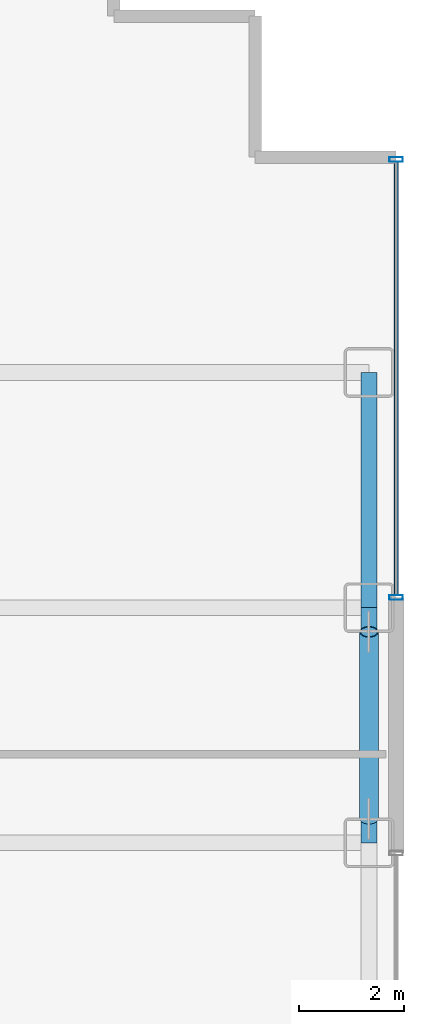
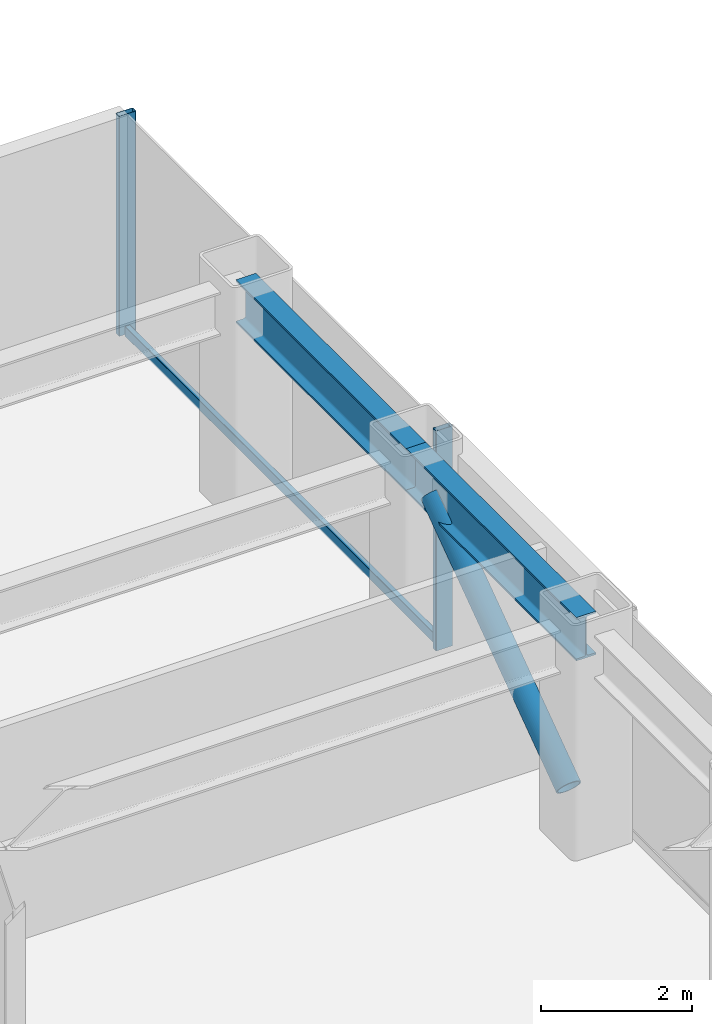
# One storey, part 19 of 29: 4 members, 2 beams, 1 element without a shape of its own.
"""IFC4 building model written with IfcOpenShell, lengths in metres."""

from ifc_helpers import new_model, si_unit, direction, frame, origin, origin_2d, place, context, subcontext, project, spatial, hollow_rectangle, hollow_circle, i_section, extrude, source, transform, mapped, material, layer, layer_set, material_profile, profile_set, type_object, element, aggregate, save


model = new_model("IFC4")

# Units and contexts
model_context = context("Model", 3, precision=1e-05, world=origin(), true_north=direction((0.0, 1.0)))
body_context = subcontext(model_context, "Body", "Model", "MODEL_VIEW")
ifc_project = project(units=[si_unit("LENGTHUNIT", "METRE"), si_unit("AREAUNIT", "SQUARE_METRE"), si_unit("VOLUMEUNIT", "CUBIC_METRE"), si_unit("PLANEANGLEUNIT", "RADIAN"), si_unit("MASSUNIT", "GRAM", prefix="KILO")], contexts=[model_context])

# Site, building, storey
site_placement = place(None, origin())
site = spatial("IfcSite", under=ifc_project, at=site_placement, CompositionType="ELEMENT")
building_placement = place(site_placement, origin())
building = spatial("IfcBuilding", under=site, at=building_placement, Name="Nefas-Gora Pilgrimage Tower", CompositionType="ELEMENT")
storey_placement = place(building_placement, frame((0.0, 0.0, 44.39990234375)))
storey = spatial("IfcBuildingStorey", under=building, at=storey_placement, Name="L09", CompositionType="ELEMENT", Elevation=44.39990234375)

# Beams
ifc_material_1 = material(Name="Steel S355", Category="steel")
ifc_material_profile_1 = material_profile(ifc_material_1, i_section(OverallWidth=0.300048828125, OverallDepth=0.699951171875, WebThickness=0.01708984375, FlangeThickness=0.031982421875, FilletRadius=0.027099609375, at=origin_2d()), Name="HEB 700")
ifc_profile_set_1 = profile_set([ifc_material_profile_1], Name="Steel S355")
beam_type = type_object("IfcBeamType", Name="BM-SPN-HEB600", PredefinedType="SPANDREL", material=ifc_profile_set_1)
shared_shape_1 = source(origin(), body_context, "Body", "SweptSolid", [
    extrude(i_section(OverallWidth=0.300048828125, OverallDepth=0.699951171875, WebThickness=0.01708984375, FlangeThickness=0.031982421875, FilletRadius=0.027099609375, at=origin_2d()), origin(), (0.0, 0.0, 1.0), 4.5),
])
for number, where, z_axis, x_axis, name in (
    (1, (33.75, 4.5, 3.2001953125), (0.0, 1.0, 0.0), (-1.0, 0.0, 0.0), "L09 SP-01 beam"),
    (2, (33.75, 9.0, 3.2001953125), (0.0, 1.0, 0.0), (-1.0, 0.0, 0.0), "L09 SP-01 beam"),
):
    element("IfcBeam", number, at=place(storey_placement, frame(where, z_axis=z_axis, x_axis=x_axis)), inside=storey, type_object=beam_type, Name=name, PredefinedType="SPANDREL", context=body_context, shape_type="MappedRepresentation", body=[
        mapped(shared_shape_1, transform((0.0, 0.0, 0.0), x_axis=(1.0, 0.0, 0.0), y_axis=(0.0, 1.0, 0.0), z_axis=(0.0, 0.0, 1.0), scale=1.0)),
    ])

# Member
ifc_material_2 = material(Name="Steel S460", Category="steel")
ifc_material_profile_2 = material_profile(ifc_material_2, hollow_circle(Radius=0.177734375, WallThickness=0.02001953125, at=origin_2d()), Name="CHS 355.6x20")
ifc_profile_set_2 = profile_set([ifc_material_profile_2], Name="Steel S460")
member_type_1 = type_object("IfcMemberType", Name="MEM-TUBE-356", PredefinedType="BRACE", material=ifc_profile_set_2)
shared_shape_2 = source(origin(), body_context, "Body", "SweptSolid", [
    extrude(hollow_circle(Radius=0.177734375, WallThickness=0.02001953125, at=origin_2d()), origin(), (0.0, 0.0, 1.0), 4.39501953125),
])
member_1_placement = place(storey_placement, frame((33.75, 4.962890625, 0.4814453125), z_axis=(0.0, 0.813264026864, 0.581894855287), x_axis=(-1.0, 0.0, 0.0)))
element("IfcMember", 3, at=member_1_placement, inside=storey, type_object=member_type_1, Name="L09 Perimeter Tube Diagonal Brace E2", PredefinedType="BRACE", context=body_context, shape_type="MappedRepresentation", body=[
    mapped(shared_shape_2, transform((0.0, 0.0, 0.0), x_axis=(1.0, 0.0, 0.0), y_axis=(0.0, 1.0, 0.0), z_axis=(0.0, 0.0, 1.0), scale=1.0)),
])

# Curtain wall, members
ifc_material_3 = material(Name="Dark ceramic-fritted solar-control aluminium-glass curtain wall", Category="aluminium")
ifc_layer = layer(ifc_material_3, 0.219970703125)
ifc_layer_set = layer_set([ifc_layer], Name="Dark ceramic-fritted solar-control aluminium-glass curtain wall")
curtain_wall_type = type_object("IfcCurtainWallType", Name="CW-SYS-2", PredefinedType="NOTDEFINED", material=ifc_layer_set)
curtain_wall_placement = place(storey_placement, origin())
curtain_wall = element("IfcCurtainWall", 4, at=curtain_wall_placement, inside=storey, type_object=curtain_wall_type, Name="L09 Unitised Curtain Wall CW2", PredefinedType="NOTDEFINED")
ifc_material_4 = material(Name="Anodised architectural aluminium", Category="aluminium")
ifc_material_profile_3 = material_profile(ifc_material_4, hollow_rectangle(XDim=0.090087890625, YDim=0.260009765625, WallThickness=0.006103515625, InnerFilletRadius=0.006103515625, OuterFilletRadius=0.011962890625, at=origin_2d()), Name="ALU MULLION 90x260")
ifc_profile_set_3 = profile_set([ifc_material_profile_3], Name="Anodised architectural aluminium")
member_type_2 = type_object("IfcMemberType", Name="CWM-MUL-2", PredefinedType="MULLION", material=ifc_profile_set_3)
shared_shape_3 = source(origin(), body_context, "Body", "SweptSolid", [
    extrude(hollow_rectangle(XDim=0.090087890625, YDim=0.260009765625, WallThickness=0.006103515625, InnerFilletRadius=0.006103515625, OuterFilletRadius=0.011962890625, at=origin_2d()), origin(), (0.0, 0.0, 1.0), 3.550048828125),
])
member_2_placement = place(storey_placement, frame((34.27001953125, 9.195068359375, 0.0), z_axis=(0.0, 0.0, 1.0), x_axis=(0.0, 1.0, 0.0)))
member_2 = element("IfcMember", 5, at=member_2_placement, type_object=member_type_2, Name="CW2 Mullion 1", PredefinedType="MULLION", context=body_context, shape_type="MappedRepresentation", body=[
    mapped(shared_shape_3, transform((0.0, 0.0, 0.0), x_axis=(1.0, 0.0, 0.0), y_axis=(0.0, 1.0, 0.0), z_axis=(0.0, 0.0, 1.0), scale=1.0)),
])
member_3_placement = place(storey_placement, frame((34.27001953125, 17.574951171875, 0.0), z_axis=(0.0, 0.0, 1.0), x_axis=(0.0, 1.0, 0.0)))
member_3 = element("IfcMember", 6, at=member_3_placement, type_object=member_type_2, Name="CW2 Mullion 2", PredefinedType="MULLION", context=body_context, shape_type="MappedRepresentation", body=[
    mapped(shared_shape_3, transform((0.0, 0.0, 0.0), x_axis=(1.0, 0.0, 0.0), y_axis=(0.0, 1.0, 0.0), z_axis=(0.0, 0.0, 1.0), scale=1.0)),
])
ifc_material_profile_4 = material_profile(ifc_material_4, hollow_rectangle(XDim=0.080078125, YDim=0.159912109375, WallThickness=0.00439453125, InnerFilletRadius=0.00439453125, OuterFilletRadius=0.009033203125, at=origin_2d()), Name="ALU TRANSOM 80x160")
ifc_profile_set_4 = profile_set([ifc_material_profile_4], Name="Anodised architectural aluminium")
member_type_3 = type_object("IfcMemberType", Name="CWM-TRN-2", PredefinedType="USERDEFINED", material=ifc_profile_set_4)
shared_shape_4 = source(origin(), body_context, "Body", "SweptSolid", [
    extrude(hollow_rectangle(XDim=0.080078125, YDim=0.159912109375, WallThickness=0.00439453125, InnerFilletRadius=0.00439453125, OuterFilletRadius=0.009033203125, at=origin_2d()), origin(), (0.0, 0.0, 1.0), 8.2900390625),
])
member_4_placement = place(storey_placement, frame((34.27001953125, 9.239990234375, 0.050048828125), z_axis=(0.0, 1.0, 0.0), x_axis=(-1.0, 0.0, 0.0)))
member_4 = element("IfcMember", 7, at=member_4_placement, type_object=member_type_3, Name="CW2 Spandrel Transom", ObjectType="TRANSOM", PredefinedType="USERDEFINED", context=body_context, shape_type="MappedRepresentation", body=[
    mapped(shared_shape_4, transform((0.0, 0.0, 0.0), x_axis=(1.0, 0.0, 0.0), y_axis=(0.0, 1.0, 0.0), z_axis=(0.0, 0.0, 1.0), scale=1.0)),
])
aggregate(curtain_wall, [member_2, member_3, member_4])

save(model, "model.ifc")
